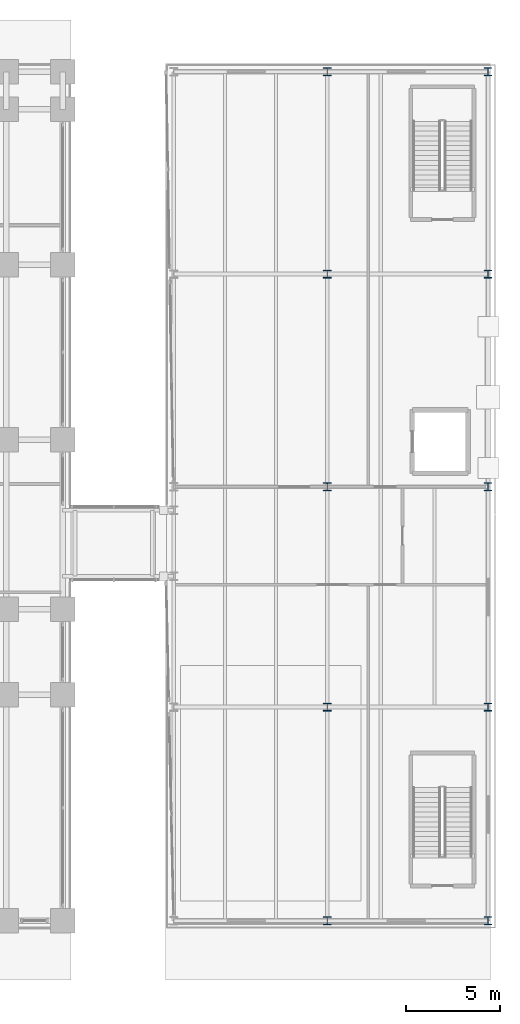
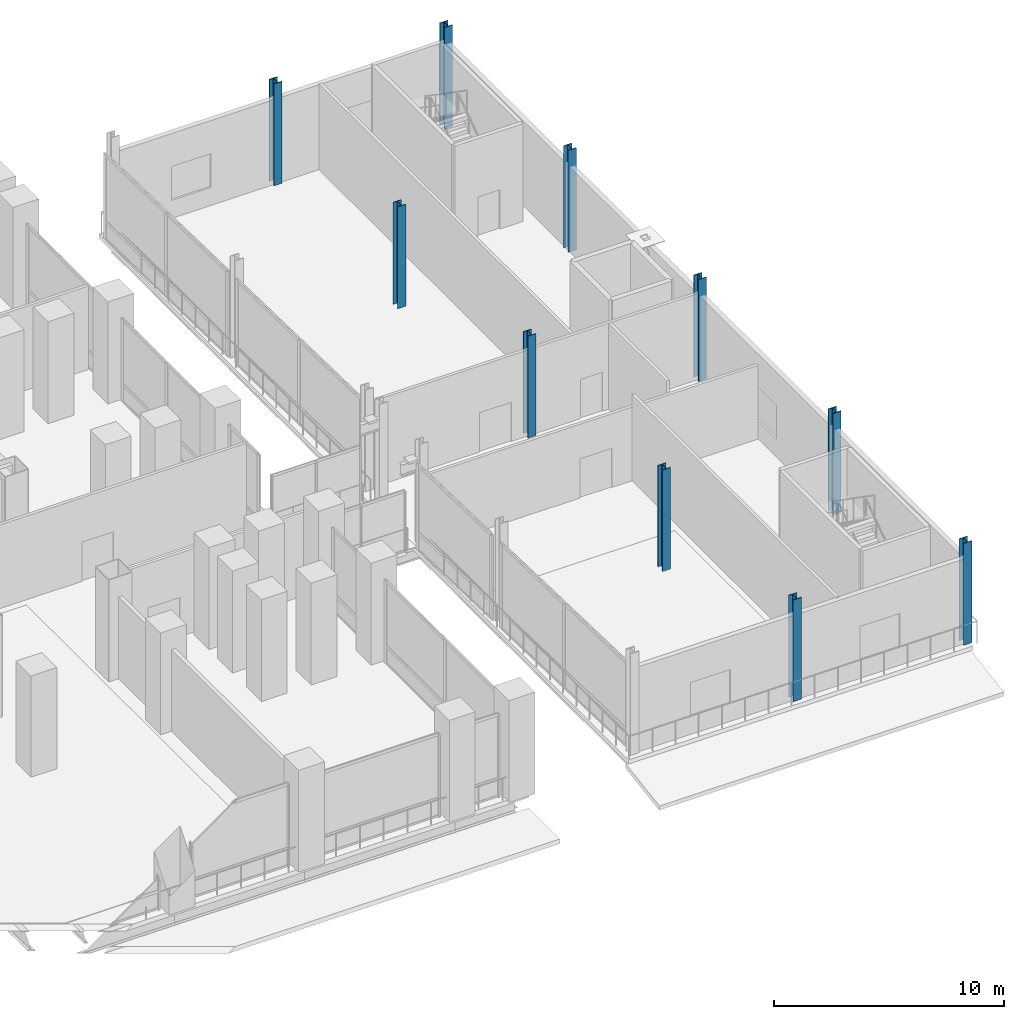
# One storey, part 3 of 32: 10 columns.
"""IFC4 building model written with IfcOpenShell, lengths in metres."""

from ifc_helpers import new_model, si_unit, direction, frame, origin, origin_2d, place, context, subcontext, project, spatial, i_section, extrude, material, material_profile, profile_set, type_object, element, save


model = new_model("IFC4")

# Units and contexts
model_context = context("Model", 3, precision=1e-05, world=origin(), true_north=direction((0.0, 1.0)))
body_context = subcontext(model_context, "Body", "Model", "MODEL_VIEW")
ifc_project = project(units=[si_unit("LENGTHUNIT", "METRE"), si_unit("AREAUNIT", "SQUARE_METRE"), si_unit("VOLUMEUNIT", "CUBIC_METRE"), si_unit("PLANEANGLEUNIT", "RADIAN"), si_unit("MASSUNIT", "GRAM", prefix="KILO")], contexts=[model_context])

# Site, building, storey
site_placement = place(None, origin())
site = spatial("IfcSite", under=ifc_project, at=site_placement, CompositionType="ELEMENT")
building_placement = place(site_placement, origin())
building = spatial("IfcBuilding", under=site, at=building_placement, Name="Noeulbin Bourse Tower", CompositionType="ELEMENT")
storey_placement = place(building_placement, frame((0.0, 0.0, 5.800048828125)))
storey = spatial("IfcBuildingStorey", under=building, at=storey_placement, Name="L02", CompositionType="ELEMENT", Elevation=5.800048828125)

# Columns
ifc_material = material(Name="Steel S355", Category="steel")
ifc_material_profile = material_profile(ifc_material, i_section(OverallWidth=0.406982421875, OverallDepth=0.427978515625, WebThickness=0.02001953125, FlangeThickness=0.034912109375, FilletRadius=0.02197265625, at=origin_2d()), Name="H-428x407x20x35", Category="LoadBearing")
ifc_profile_set = profile_set([ifc_material_profile], Name="Steel S355")
column_type = type_object("IfcColumnType", Name="COL-MKT-ST", PredefinedType="COLUMN", material=ifc_profile_set)
for number, where, z_axis, x_axis, name in (
    (1, (68.60009765625, 3.449951171875, 0.0), (0.0, 0.0, 1.0), (1.0, 0.0, 0.0), "Market Hall Column COL-MKT-ST 08"),
    (2, (68.60009765625, 14.800048828125, 0.0), (0.0, 0.0, 1.0), (1.0, 0.0, 0.0), "Market Hall Column COL-MKT-ST 09"),
    (3, (68.60009765625, 26.5, 0.0), (0.0, 0.0, 1.0), (1.0, 0.0, 0.0), "Market Hall Column COL-MKT-ST 10"),
    (4, (68.60009765625, 37.800048828125, 0.0), (0.0, 0.0, 1.0), (1.0, 0.0, 0.0), "Market Hall Column COL-MKT-ST 11"),
    (5, (68.60009765625, 48.550048828125, 0.0), (0.0, 0.0, 1.0), (1.0, 0.0, 0.0), "Market Hall Column COL-MKT-ST 12"),
    (6, (77.14990234375, 3.449951171875, 0.0), (0.0, 0.0, 1.0), (1.0, 0.0, 0.0), "Market Hall Column COL-MKT-ST 13"),
    (7, (77.14990234375, 14.800048828125, 0.0), (0.0, 0.0, 1.0), (1.0, 0.0, 0.0), "Market Hall Column COL-MKT-ST 14"),
    (8, (77.14990234375, 26.5, 0.0), (0.0, 0.0, 1.0), (1.0, 0.0, 0.0), "Market Hall Column COL-MKT-ST 15"),
    (9, (77.14990234375, 37.800048828125, 0.0), (0.0, 0.0, 1.0), (1.0, 0.0, 0.0), "Market Hall Column COL-MKT-ST 16"),
    (10, (77.14990234375, 48.550048828125, 0.0), (0.0, 0.0, 1.0), (1.0, 0.0, 0.0), "Market Hall Column COL-MKT-ST 17"),
):
    element("IfcColumn", number, at=place(storey_placement, frame(where, z_axis=z_axis, x_axis=x_axis)), inside=storey, type_object=column_type, Name=name, PredefinedType="COLUMN", context=body_context, shape_type="SweptSolid", body=[
        extrude(i_section(OverallWidth=0.406982421875, OverallDepth=0.427978515625, WebThickness=0.02001953125, FlangeThickness=0.034912109375, FilletRadius=0.02197265625, at=origin_2d()), origin(), (0.0, 0.0, 1.0), 5.39990234375),
    ])

save(model, "model.ifc")
